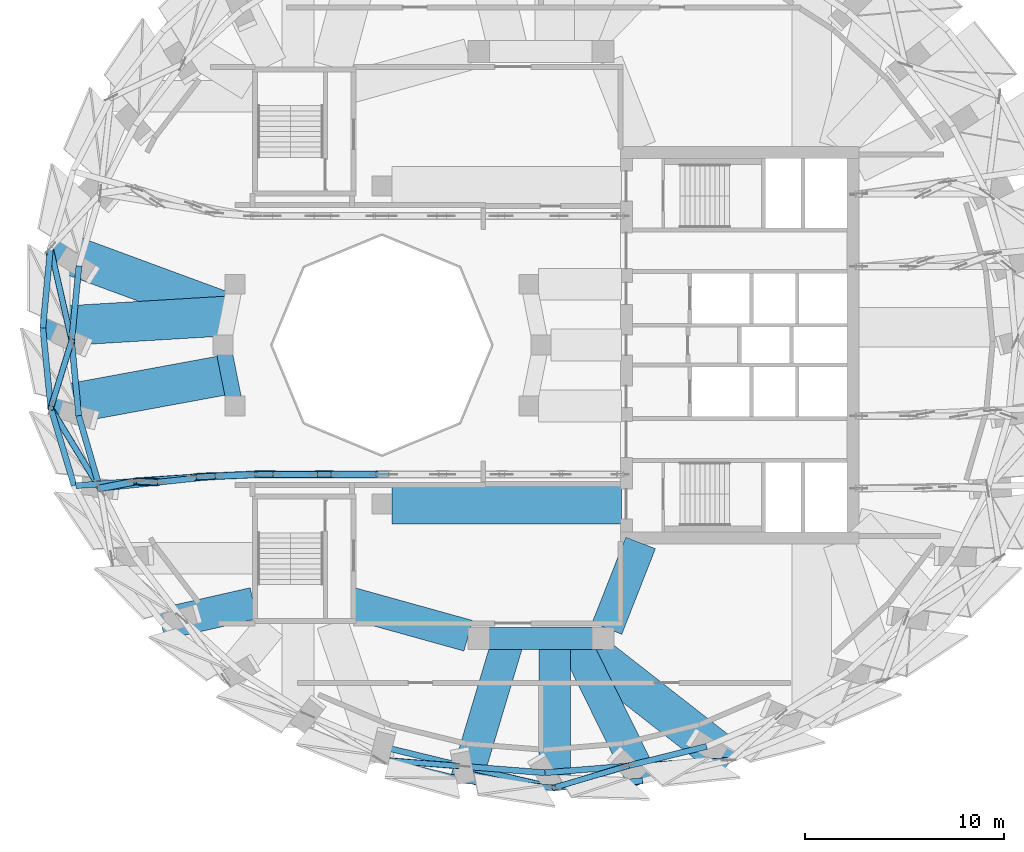
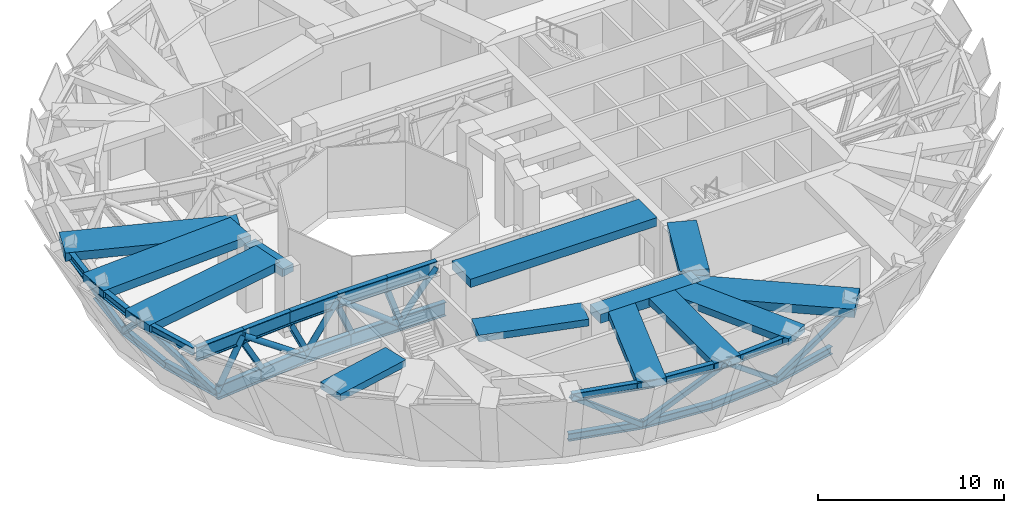
# One storey, part 2 of 16: 39 members, 13 beams.
"""IFC4 building model written with IfcOpenShell, lengths in metres."""

import ifcopenshell
import ifcopenshell.guid

model = None  # the IFC model being written
_history = None  # IfcOwnerHistory: only IFC2X3 demands one
_inside = {}  # id of a spatial element -> (the spatial element, [elements in it])
_under = {}  # id of a project, library or spatial element -> (it, [spatial elements below it])
_declared = {}  # id of a project -> (the project, [libraries it declares])
_typed = {}  # id of a type object -> (the type object, [elements of that type])
_made_of = {}  # id of a material, layer set ... -> (it, [elements and type objects made of it])


def new_model(schema):
    """Start an empty IFC model of exactly this schema.

    Asked for "IFC4X3", IfcOpenShell would pick the latest addendum, in which some entities
    have other attributes; the version numbers below select the first issue.
    IFC2X3 requires an IfcOwnerHistory on every rooted entity: one is made here for all.
    """
    global model, _history
    if schema == "IFC4X3":
        model = ifcopenshell.file(schema_version=(4, 3, 0, 0))
    else:
        model = ifcopenshell.file(schema=schema)
    _inside.clear()
    _under.clear()
    _declared.clear()
    _typed.clear()
    _made_of.clear()
    _history = None
    if model.schema == "IFC2X3":
        org = make("IfcOrganization", Name="unknown")
        user = make(
            "IfcPersonAndOrganization",
            ThePerson=make("IfcPerson", FamilyName="unknown"),
            TheOrganization=org,
        )
        app = make(
            "IfcApplication",
            ApplicationDeveloper=org,
            Version="unknown",
            ApplicationFullName="unknown",
            ApplicationIdentifier="unknown",
        )
        _history = make(
            "IfcOwnerHistory",
            OwningUser=user,
            OwningApplication=app,
            ChangeAction="ADDED",
            CreationDate=0,
        )
    return model


def make(cls, **values):
    """One entity of the class cls with the attributes given. An attribute that is None is left unset."""
    return model.create_entity(
        cls, **{name: value for name, value in values.items() if value is not None}
    )


def rooted(cls, **values):
    """An entity with a GlobalId (a new one), such as an element, a storey or a relation."""
    return make(cls, GlobalId=ifcopenshell.guid.new(), OwnerHistory=_history, **values)


def si_unit(unit_type, name, prefix=None):
    """IfcSIUnit, for example si_unit("LENGTHUNIT", "METRE", prefix="MILLI")."""
    return make("IfcSIUnit", UnitType=unit_type, Prefix=prefix, Name=name)


def assignment(units):
    """IfcUnitAssignment: the units of a project."""
    return None if units is None else make("IfcUnitAssignment", Units=units)


def point(xyz):
    """IfcCartesianPoint."""
    return None if xyz is None else make("IfcCartesianPoint", Coordinates=xyz)


def direction(xyz):
    """IfcDirection."""
    return None if xyz is None else make("IfcDirection", DirectionRatios=xyz)


def frame(location, z_axis=None, x_axis=None):
    """IfcAxis2Placement3D, a coordinate frame: its origin and axes. An axis left out is left unset."""
    return make(
        "IfcAxis2Placement3D",
        Location=point(location),
        Axis=direction(z_axis),
        RefDirection=direction(x_axis),
    )


def frame_2d(location, x_axis=None):
    """IfcAxis2Placement2D, a coordinate frame in the plane: its origin and x axis."""
    return make(
        "IfcAxis2Placement2D", Location=point(location), RefDirection=direction(x_axis)
    )


def origin():
    """The frame at (0, 0, 0) with its axes left unset."""
    return frame((0.0, 0.0, 0.0))


def origin_2d():
    """The frame at (0, 0) in the plane with its x axis left unset."""
    return frame_2d((0.0, 0.0))


def place(relative_to, where):
    """IfcLocalPlacement: puts the frame where relative to a parent placement (None: the world)."""
    return make(
        "IfcLocalPlacement", PlacementRelTo=relative_to, RelativePlacement=where
    )


def context(
    kind, dimensions, precision=None, world=None, true_north=None, identifier=None
):
    """IfcGeometricRepresentationContext, for example the 3D "Model" context."""
    return make(
        "IfcGeometricRepresentationContext",
        ContextIdentifier=identifier,
        ContextType=kind,
        CoordinateSpaceDimension=dimensions,
        Precision=precision,
        WorldCoordinateSystem=world,
        TrueNorth=true_north,
    )


def subcontext(parent, identifier, kind, view, scale=None):
    """IfcGeometricRepresentationSubContext, for example "Body" below "Model"."""
    return make(
        "IfcGeometricRepresentationSubContext",
        ContextIdentifier=identifier,
        ContextType=kind,
        ParentContext=parent,
        TargetScale=scale,
        TargetView=view,
    )


def project(units=None, contexts=None):
    """IfcProject with its units and contexts."""
    return rooted(
        "IfcProject",
        Name="project",
        RepresentationContexts=contexts,
        UnitsInContext=assignment(units),
    )


def spatial(cls, under=None, at=None, **own):
    """A site, building, storey or space (cls), placed at a placement, below another one or the project."""
    s = rooted(cls, ObjectPlacement=at, **own)
    if under is not None:
        _under.setdefault(under.id(), (under, []))[1].append(s)
    return s


def profile(cls, at=None, kind="AREA", **sizes):
    """A parametric profile (cls). Its sizes go by their IFC names, for example OverallWidth=200.0."""
    return make(cls, ProfileType=kind, Position=at, **sizes)


def rectangle(**sizes):
    """IfcRectangleProfileDef."""
    return profile("IfcRectangleProfileDef", **sizes)


def hollow_rectangle(**sizes):
    """IfcRectangleHollowProfileDef."""
    return profile("IfcRectangleHollowProfileDef", **sizes)


def hollow_circle(**sizes):
    """IfcCircleHollowProfileDef."""
    return profile("IfcCircleHollowProfileDef", **sizes)


def i_section(**sizes):
    """IfcIShapeProfileDef."""
    return profile("IfcIShapeProfileDef", **sizes)


def extrude(swept, where, along, depth):
    """IfcExtrudedAreaSolid: the profile swept, set in the frame where, extruded along a direction by depth."""
    return make(
        "IfcExtrudedAreaSolid",
        SweptArea=swept,
        Position=where,
        ExtrudedDirection=direction(along),
        Depth=depth,
    )


def shape(context_of_items, identifier, shape_type, items):
    """IfcShapeRepresentation: the items that make up one representation, for example the "Body"."""
    return make(
        "IfcShapeRepresentation",
        ContextOfItems=context_of_items,
        RepresentationIdentifier=identifier,
        RepresentationType=shape_type,
        Items=items,
    )


def material(Name=None, Category=None):
    """IfcMaterial."""
    return make("IfcMaterial", Name=Name, Category=Category)


def material_profile(
    of_material, cross_section, Name=None, Category=None, Priority=None
):
    """IfcMaterialProfile: a cross section and its material."""
    return make(
        "IfcMaterialProfile",
        Name=Name,
        Material=of_material,
        Profile=cross_section,
        Priority=Priority,
        Category=Category,
    )


def profile_set(profiles, Name=None, composite=None):
    """IfcMaterialProfileSet."""
    return make(
        "IfcMaterialProfileSet",
        Name=Name,
        MaterialProfiles=profiles,
        CompositeProfile=composite,
    )


def made_of(thing, what):
    """Note that an element or type object is made of a material, layer set ...; save() writes the relation."""
    if what is not None:
        _made_of.setdefault(what.id(), (what, []))[1].append(thing)
    return thing


def type_object(cls, material=None, **own):
    """A type object (cls), such as IfcWallType, which elements share."""
    return made_of(rooted(cls, **own), material)


def element(
    cls,
    number,
    at=None,
    inside=None,
    cuts=None,
    type_object=None,
    material=None,
    context=None,
    identifier="Body",
    shape_type=None,
    held_by="IfcProductDefinitionShape",
    body=None,
    shapes=None,
    **own,
):
    """One element of the class cls, such as IfcWall. Its Tag is "e" and its number.

    at: its placement. inside: the storey or other place that contains it. cuts: it is an
    opening in that element (IfcRelVoidsElement). A single representation is given by context,
    identifier, shape_type and body (its items); several are given by shapes. held_by: the class
    of the entity that holds the representations. save() writes the other relations.
    """
    e = rooted(cls, Tag="e%d" % number, ObjectPlacement=at, **own)
    if body is not None:
        shapes = [shape(context, identifier, shape_type, body)]
    if shapes is not None:
        e.Representation = make(held_by, Representations=shapes)
    if inside is not None:
        _inside.setdefault(inside.id(), (inside, []))[1].append(e)
    if cuts is not None:
        rooted(
            "IfcRelVoidsElement", RelatingBuildingElement=cuts, RelatedOpeningElement=e
        )
    if type_object is not None:
        _typed.setdefault(type_object.id(), (type_object, []))[1].append(e)
    return made_of(e, material)


def aggregate(whole, parts):
    """IfcRelAggregates: a whole, such as a stair, and the parts it consists of."""
    return rooted("IfcRelAggregates", RelatingObject=whole, RelatedObjects=parts)


def save(model, path):
    """Write the relations noted so far, then the file.

    IfcRelAggregates (storeys below a building ...), IfcRelContainedInSpatialStructure (elements
    in a storey), IfcRelDefinesByType, IfcRelAssociatesMaterial and IfcRelDeclares: one each for
    every whole, place, type object, material and project.
    """
    for whole, parts in _under.values():
        aggregate(whole, parts)
    for where, things in _inside.values():
        rooted(
            "IfcRelContainedInSpatialStructure",
            RelatedElements=things,
            RelatingStructure=where,
        )
    for kind, things in _typed.values():
        rooted("IfcRelDefinesByType", RelatedObjects=things, RelatingType=kind)
    for what, things in _made_of.values():
        rooted("IfcRelAssociatesMaterial", RelatedObjects=things, RelatingMaterial=what)
    for by, libraries in _declared.values():
        rooted("IfcRelDeclares", RelatingContext=by, RelatedDefinitions=libraries)
    model.write(path)


model = new_model("IFC4")

# Units and contexts
model_context = context("Model", 3, precision=1e-05, world=origin(), true_north=direction((0.0, 1.0)))
body_context = subcontext(model_context, "Body", "Model", "MODEL_VIEW")
ifc_project = project(units=[si_unit("LENGTHUNIT", "METRE"), si_unit("AREAUNIT", "SQUARE_METRE"), si_unit("VOLUMEUNIT", "CUBIC_METRE"), si_unit("PLANEANGLEUNIT", "RADIAN"), si_unit("MASSUNIT", "GRAM", prefix="KILO")], contexts=[model_context])

# Site, building, storey
site_placement = place(None, origin())
site = spatial("IfcSite", under=ifc_project, at=site_placement, CompositionType="ELEMENT")
building_placement = place(site_placement, origin())
building = spatial("IfcBuilding", under=site, at=building_placement, Name="Taillehof Tower", CompositionType="ELEMENT")
storey_placement = place(building_placement, frame((0.0, 0.0, 184.699951171875)))
storey = spatial("IfcBuildingStorey", under=building, at=storey_placement, Name="L52", CompositionType="ELEMENT", Elevation=184.699951171875)

# Beam
ifc_material_1 = material(Name="Concrete C50/60", Category="concrete")
ifc_material_profile_1 = material_profile(ifc_material_1, rectangle(XDim=0.800048828125, YDim=0.5, at=origin_2d()), Name="RC 800x500")
ifc_profile_set_1 = profile_set([ifc_material_profile_1], Name="Concrete C50/60")
beam_type_1 = type_object("IfcBeamType", Name="Atrium ring beam C50/60 800x500", PredefinedType="BEAM", material=ifc_profile_set_1)
beam_1_placement = place(storey_placement, frame((-16.0, 0.0, 3.969970703125), z_axis=(0.195063155143, -0.980790683839, 0.0), x_axis=(0.980790683839, 0.195063155143, 0.0)))
element("IfcBeam", 1, at=beam_1_placement, inside=storey, type_object=beam_type_1, Name="Atrium ring beam AB05", PredefinedType="BEAM", context=body_context, shape_type="SweptSolid", body=[
    extrude(rectangle(XDim=0.800048828125, YDim=0.5, at=origin_2d()), origin(), (0.0, 0.0, 1.0), 3.12158203125),
])

# Members
ifc_material_2 = material(Name="Steel S460M", Category="steel")
ifc_material_profile_2 = material_profile(ifc_material_2, i_section(OverallWidth=0.300048828125, OverallDepth=0.5, WebThickness=0.014404296875, FlangeThickness=0.028076171875, FilletRadius=0.027099609375, at=origin_2d()), Name="HEB 500")
ifc_profile_set_2 = profile_set([ifc_material_profile_2], Name="Steel S460M")
member_type_1 = type_object("IfcMemberType", Name="Belt truss chord HEB 500", PredefinedType="CHORD", material=ifc_profile_set_2)
member_1_placement = place(storey_placement, frame((-23.244873046875, 3.983154296875, 0.900146484375), z_axis=(-0.097089054052, -0.995275698278, 0.0), x_axis=(0.995275698278, -0.097089054052, 0.0)))
element("IfcMember", 2, at=member_1_placement, inside=storey, type_object=member_type_1, Name="Belt truss bottom chord BB18", PredefinedType="CHORD", context=body_context, shape_type="SweptSolid", body=[
    extrude(i_section(OverallWidth=0.300048828125, OverallDepth=0.5, WebThickness=0.014404296875, FlangeThickness=0.028076171875, FilletRadius=0.027099609375, at=origin_2d()), origin(), (0.0, 0.0, 1.0), 3.784423828125),
])
member_2_placement = place(storey_placement, frame((-24.67919921875, 4.887939453125, 3.969970703125), z_axis=(-0.094698010521, -0.995506045589, 0.0), x_axis=(0.995506045589, -0.094698010521, 0.0)))
element("IfcMember", 3, at=member_2_placement, inside=storey, type_object=member_type_1, Name="Belt truss top chord BT18", PredefinedType="CHORD", context=body_context, shape_type="SweptSolid", body=[
    extrude(i_section(OverallWidth=0.300048828125, OverallDepth=0.5, WebThickness=0.014404296875, FlangeThickness=0.028076171875, FilletRadius=0.027099609375, at=origin_2d()), origin(), (0.0, 0.0, 1.0), 4.044921875),
])
member_3_placement = place(storey_placement, frame((-23.6123046875, 0.216552734375, 0.900146484375), z_axis=(0.093530534299, -0.995616411654, 0.0), x_axis=(0.995616411654, 0.093530534299, 0.0)))
element("IfcMember", 4, at=member_3_placement, inside=storey, type_object=member_type_1, Name="Belt truss bottom chord BB19", PredefinedType="CHORD", context=body_context, shape_type="SweptSolid", body=[
    extrude(i_section(OverallWidth=0.300048828125, OverallDepth=0.5, WebThickness=0.014404296875, FlangeThickness=0.028076171875, FilletRadius=0.027099609375, at=origin_2d()), origin(), (0.0, 0.0, 1.0), 3.784912109375),
])
member_4_placement = place(storey_placement, frame((-25.062255859375, 0.861083984375, 3.969970703125), z_axis=(0.098995698664, -0.99508786127, 0.0), x_axis=(0.99508786127, 0.098995698664, 0.0)))
element("IfcMember", 5, at=member_4_placement, inside=storey, type_object=member_type_1, Name="Belt truss top chord BT19", PredefinedType="CHORD", context=body_context, shape_type="SweptSolid", body=[
    extrude(i_section(OverallWidth=0.300048828125, OverallDepth=0.5, WebThickness=0.014404296875, FlangeThickness=0.028076171875, FilletRadius=0.027099609375, at=origin_2d()), origin(), (0.0, 0.0, 1.0), 4.04443359375),
])
member_5_placement = place(storey_placement, frame((-23.25830078125, -3.5517578125, 0.900146484375), z_axis=(0.279899065542, -0.96002943346, 0.0), x_axis=(0.96002943346, 0.279899065542, 0.0)))
element("IfcMember", 6, at=member_5_placement, inside=storey, type_object=member_type_1, Name="Belt truss bottom chord BB20", PredefinedType="CHORD", context=body_context, shape_type="SweptSolid", body=[
    extrude(i_section(OverallWidth=0.300048828125, OverallDepth=0.5, WebThickness=0.014404296875, FlangeThickness=0.028076171875, FilletRadius=0.027099609375, at=origin_2d()), origin(), (0.0, 0.0, 1.0), 3.80810546875),
])
member_6_placement = place(storey_placement, frame((-24.661865234375, -3.16357421875, 3.969970703125), z_axis=(0.287534928668, -0.957770152383, 0.0), x_axis=(0.957770152383, 0.287534928668, 0.0)))
element("IfcMember", 7, at=member_6_placement, inside=storey, type_object=member_type_1, Name="Belt truss top chord BT20", PredefinedType="CHORD", context=body_context, shape_type="SweptSolid", body=[
    extrude(i_section(OverallWidth=0.300048828125, OverallDepth=0.5, WebThickness=0.014404296875, FlangeThickness=0.028076171875, FilletRadius=0.027099609375, at=origin_2d()), origin(), (0.0, 0.0, 1.0), 4.0712890625),
])
member_7_placement = place(storey_placement, frame((-7.95947265625, -20.214111328125, 0.900146484375), z_axis=(0.971542202508, -0.236866520947, 0.0), x_axis=(0.236866520947, 0.971542202508, 0.0)))
element("IfcMember", 8, at=member_7_placement, inside=storey, type_object=member_type_1, Name="Belt truss bottom chord BB26", PredefinedType="CHORD", context=body_context, shape_type="SweptSolid", body=[
    extrude(i_section(OverallWidth=0.300048828125, OverallDepth=0.5, WebThickness=0.014404296875, FlangeThickness=0.028076171875, FilletRadius=0.027099609375, at=origin_2d()), origin(), (0.0, 0.0, 1.0), 4.13720703125),
])
member_8_placement = place(storey_placement, frame((-8.121826171875, -20.869140625, 3.969970703125), z_axis=(0.971976196551, -0.2350792916, 0.0), x_axis=(0.2350792916, 0.971976196551, 0.0)))
element("IfcMember", 9, at=member_8_placement, inside=storey, type_object=member_type_1, Name="Belt truss top chord BT26", PredefinedType="CHORD", context=body_context, shape_type="SweptSolid", body=[
    extrude(i_section(OverallWidth=0.300048828125, OverallDepth=0.5, WebThickness=0.014404296875, FlangeThickness=0.028076171875, FilletRadius=0.027099609375, at=origin_2d()), origin(), (0.0, 0.0, 1.0), 4.44189453125),
])
member_9_placement = place(storey_placement, frame((-3.93994140625, -21.194091796875, 0.900146484375), z_axis=(0.996922729548, -0.078390505229, 0.0), x_axis=(0.078390505229, 0.996922729548, 0.0)))
element("IfcMember", 10, at=member_9_placement, inside=storey, type_object=member_type_1, Name="Belt truss bottom chord BB27", PredefinedType="CHORD", context=body_context, shape_type="SweptSolid", body=[
    extrude(i_section(OverallWidth=0.300048828125, OverallDepth=0.5, WebThickness=0.014404296875, FlangeThickness=0.028076171875, FilletRadius=0.027099609375, at=origin_2d()), origin(), (0.0, 0.0, 1.0), 4.154541015625),
])
member_10_placement = place(storey_placement, frame((-3.804443359375, -21.913330078125, 3.969970703125), z_axis=(0.996799633397, -0.079940545784, 0.0), x_axis=(0.079940545784, 0.996799633397, 0.0)))
element("IfcMember", 11, at=member_10_placement, inside=storey, type_object=member_type_1, Name="Belt truss top chord BT27", PredefinedType="CHORD", context=body_context, shape_type="SweptSolid", body=[
    extrude(i_section(OverallWidth=0.300048828125, OverallDepth=0.5, WebThickness=0.014404296875, FlangeThickness=0.028076171875, FilletRadius=0.027099609375, at=origin_2d()), origin(), (0.0, 0.0, 1.0), 4.47119140625),
])
member_11_placement = place(storey_placement, frame((0.201904296875, -21.519775390625, 0.900146484375), z_axis=(0.996688315105, 0.081316680529, 0.0), x_axis=(-0.081316680529, 0.996688315105, 0.0)))
element("IfcMember", 12, at=member_11_placement, inside=storey, type_object=member_type_1, Name="Belt truss bottom chord BB28", PredefinedType="CHORD", context=body_context, shape_type="SweptSolid", body=[
    extrude(i_section(OverallWidth=0.300048828125, OverallDepth=0.5, WebThickness=0.014404296875, FlangeThickness=0.028076171875, FilletRadius=0.027099609375, at=origin_2d()), origin(), (0.0, 0.0, 1.0), 4.149169921875),
])
member_12_placement = place(storey_placement, frame((0.65234375, -22.270751953125, 3.969970703125), z_axis=(0.997074654535, 0.076433849071, 0.0), x_axis=(-0.076433849071, 0.997074654535, 0.0)))
element("IfcMember", 13, at=member_12_placement, inside=storey, type_object=member_type_1, Name="Belt truss top chord BT28", PredefinedType="CHORD", context=body_context, shape_type="SweptSolid", body=[
    extrude(i_section(OverallWidth=0.300048828125, OverallDepth=0.5, WebThickness=0.014404296875, FlangeThickness=0.028076171875, FilletRadius=0.027099609375, at=origin_2d()), origin(), (0.0, 0.0, 1.0), 4.478271484375),
])
member_13_placement = place(storey_placement, frame((4.33740234375, -21.182373046875, 0.900146484375), z_axis=(0.970859264301, 0.239650347217, 0.0), x_axis=(-0.239650347217, 0.970859264301, 0.0)))
element("IfcMember", 14, at=member_13_placement, inside=storey, type_object=member_type_1, Name="Belt truss bottom chord BB29", PredefinedType="CHORD", context=body_context, shape_type="SweptSolid", body=[
    extrude(i_section(OverallWidth=0.300048828125, OverallDepth=0.5, WebThickness=0.014404296875, FlangeThickness=0.028076171875, FilletRadius=0.027099609375, at=origin_2d()), origin(), (0.0, 0.0, 1.0), 4.122802734375),
])
ifc_material_3 = material(Name="Steel S460M", Category="steel")
ifc_material_profile_3 = material_profile(ifc_material_3, hollow_rectangle(XDim=0.300048828125, YDim=0.300048828125, WallThickness=0.012451171875, InnerFilletRadius=0.012451171875, OuterFilletRadius=0.018798828125, at=origin_2d()), Name="RHS 300x300x12.5")
ifc_profile_set_3 = profile_set([ifc_material_profile_3], Name="Steel S460M")
member_type_2 = type_object("IfcMemberType", Name="Belt truss diagonal RHS 300x300x12.5", PredefinedType="BRACE", material=ifc_profile_set_3)
member_14_placement = place(storey_placement, frame((-24.67919921875, 4.887939453125, 3.969970703125), z_axis=(0.187480738527, -0.82088248306, -0.539446866416), x_axis=(0.974897070866, 0.222656015453, 0.0)))
element("IfcMember", 15, at=member_14_placement, inside=storey, type_object=member_type_2, Name="Belt truss diagonal BX18", PredefinedType="BRACE", context=body_context, shape_type="SweptSolid", body=[
    extrude(hollow_rectangle(XDim=0.300048828125, YDim=0.300048828125, WallThickness=0.012451171875, InnerFilletRadius=0.012451171875, OuterFilletRadius=0.018798828125, at=origin_2d()), origin(), (0.0, 0.0, 1.0), 5.690673828125),
])
member_15_placement = place(storey_placement, frame((-23.6123046875, 0.216552734375, 0.900146484375), z_axis=(-0.22401842646, -0.721455016129, 0.655223934475), x_axis=(0.955019685991, -0.296542407373, 0.0)))
element("IfcMember", 16, at=member_15_placement, inside=storey, type_object=member_type_2, Name="Belt truss diagonal BX19", PredefinedType="BRACE", context=body_context, shape_type="SweptSolid", body=[
    extrude(hollow_rectangle(XDim=0.300048828125, YDim=0.300048828125, WallThickness=0.012451171875, InnerFilletRadius=0.012451171875, OuterFilletRadius=0.018798828125, at=origin_2d()), origin(), (0.0, 0.0, 1.0), 4.68505859375),
])
member_16_placement = place(storey_placement, frame((-24.661865234375, -3.16357421875, 3.969970703125), z_axis=(0.437384017473, -0.716289298017, -0.54371395311), x_axis=(0.853466449862, 0.52114778994, 0.0)))
element("IfcMember", 17, at=member_16_placement, inside=storey, type_object=member_type_2, Name="Belt truss diagonal BX20", PredefinedType="BRACE", context=body_context, shape_type="SweptSolid", body=[
    extrude(hollow_rectangle(XDim=0.300048828125, YDim=0.300048828125, WallThickness=0.012451171875, InnerFilletRadius=0.012451171875, OuterFilletRadius=0.018798828125, at=origin_2d()), origin(), (0.0, 0.0, 1.0), 5.64599609375),
])
member_17_placement = place(storey_placement, frame((-8.121826171875, -20.869140625, 3.969970703125), z_axis=(0.804542304307, -0.062516539613, -0.590595769418), x_axis=(0.077470945535, 0.996994610115, 0.0)))
element("IfcMember", 18, at=member_17_placement, inside=storey, type_object=member_type_2, Name="Belt truss diagonal BX26", PredefinedType="BRACE", context=body_context, shape_type="SweptSolid", body=[
    extrude(hollow_rectangle(XDim=0.300048828125, YDim=0.300048828125, WallThickness=0.012451171875, InnerFilletRadius=0.012451171875, OuterFilletRadius=0.018798828125, at=origin_2d()), origin(), (0.0, 0.0, 1.0), 5.19775390625),
])
member_18_placement = place(storey_placement, frame((-3.93994140625, -21.194091796875, 0.900146484375), z_axis=(0.816000476268, -0.191311116446, 0.5454752785), x_axis=(0.228260319191, 0.973600136957, 0.0)))
element("IfcMember", 19, at=member_18_placement, inside=storey, type_object=member_type_2, Name="Belt truss diagonal BX27", PredefinedType="BRACE", context=body_context, shape_type="SweptSolid", body=[
    extrude(hollow_rectangle(XDim=0.300048828125, YDim=0.300048828125, WallThickness=0.012451171875, InnerFilletRadius=0.012451171875, OuterFilletRadius=0.018798828125, at=origin_2d()), origin(), (0.0, 0.0, 1.0), 5.627685546875),
])
member_19_placement = place(storey_placement, frame((0.65234375, -22.270751953125, 3.969970703125), z_axis=(0.749279762552, 0.221299137502, -0.624184691555), x_axis=(-0.283253171719, 0.959045171361, 0.0)))
element("IfcMember", 20, at=member_19_placement, inside=storey, type_object=member_type_2, Name="Belt truss diagonal BX28", PredefinedType="BRACE", context=body_context, shape_type="SweptSolid", body=[
    extrude(hollow_rectangle(XDim=0.300048828125, YDim=0.300048828125, WallThickness=0.012451171875, InnerFilletRadius=0.012451171875, OuterFilletRadius=0.018798828125, at=origin_2d()), origin(), (0.0, 0.0, 1.0), 4.918212890625),
])
member_20_placement = place(storey_placement, frame((4.33740234375, -21.182373046875, 0.900146484375), z_axis=(0.856598435011, 0.048169872884, 0.513730264325), x_axis=(-0.056145199949, 0.998422614188, 0.0)))
element("IfcMember", 21, at=member_20_placement, inside=storey, type_object=member_type_2, Name="Belt truss diagonal BX29", PredefinedType="BRACE", context=body_context, shape_type="SweptSolid", body=[
    extrude(hollow_rectangle(XDim=0.300048828125, YDim=0.300048828125, WallThickness=0.012451171875, InnerFilletRadius=0.012451171875, OuterFilletRadius=0.018798828125, at=origin_2d()), origin(), (0.0, 0.0, 1.0), 5.9755859375),
])

# Beam
ifc_material_4 = material(Name="Concrete C50/60", Category="concrete")
ifc_material_profile_4 = material_profile(ifc_material_4, rectangle(XDim=1.10009765625, YDim=0.60009765625, at=origin_2d()), Name="RC 1100x600")
ifc_profile_set_4 = profile_set([ifc_material_profile_4], Name="Concrete C50/60")
beam_type_2 = type_object("IfcBeamType", Name="Mid-ring beam C50/60 1100x600", PredefinedType="BEAM", material=ifc_profile_set_4)
beam_2_placement = place(storey_placement, frame((-3.125732421875, -14.772216796875, 3.920166015625), z_axis=(1.0, 0.0, 0.0), x_axis=(0.0, 1.0, 0.0)))
element("IfcBeam", 22, at=beam_2_placement, inside=storey, type_object=beam_type_2, Name="Mid-ring beam MB02", PredefinedType="BEAM", context=body_context, shape_type="SweptSolid", body=[
    extrude(rectangle(XDim=1.10009765625, YDim=0.60009765625, at=origin_2d()), origin(), (0.0, 0.0, 1.0), 6.25146484375),
])

# Members
ifc_material_5 = material(Name="Steel S460M", Category="steel")
ifc_material_profile_5 = material_profile(ifc_material_5, i_section(OverallWidth=0.302001953125, OverallDepth=0.909912109375, WebThickness=0.02099609375, FlangeThickness=0.0400390625, FilletRadius=0.030029296875, at=origin_2d()), Name="HEM 900")
ifc_profile_set_5 = profile_set([ifc_material_profile_5], Name="Steel S460M")
member_type_3 = type_object("IfcMemberType", Name="Outrigger chord HEM 900", PredefinedType="CHORD", material=ifc_profile_set_5)
member_21_placement = place(storey_placement, frame((-7.65771484375, -6.5, 0.900146484375), z_axis=(-1.0, 0.0, 0.0), x_axis=(0.0, -1.0, 0.0)))
element("IfcMember", 23, at=member_21_placement, inside=storey, type_object=member_type_3, Name="Outrigger OT6 bottom chord 05", PredefinedType="CHORD", context=body_context, shape_type="SweptSolid", body=[
    extrude(i_section(OverallWidth=0.302001953125, OverallDepth=0.909912109375, WebThickness=0.02099609375, FlangeThickness=0.0400390625, FilletRadius=0.030029296875, at=origin_2d()), origin(), (0.0, 0.0, 1.0), 2.914306640625),
])
member_22_placement = place(storey_placement, frame((-8.18896484375, -6.5, 3.76513671875), z_axis=(-1.0, 0.0, 0.0), x_axis=(0.0, -1.0, 0.0)))
element("IfcMember", 24, at=member_22_placement, inside=storey, type_object=member_type_3, Name="Outrigger OT6 top chord 05", PredefinedType="CHORD", context=body_context, shape_type="SweptSolid", body=[
    extrude(i_section(OverallWidth=0.302001953125, OverallDepth=0.909912109375, WebThickness=0.02099609375, FlangeThickness=0.0400390625, FilletRadius=0.030029296875, at=origin_2d()), origin(), (0.0, 0.0, 1.0), 3.047119140625),
])
member_23_placement = place(storey_placement, frame((-10.572021484375, -6.5, 0.900146484375), z_axis=(-1.0, 0.0, 0.0), x_axis=(0.0, -1.0, 0.0)))
element("IfcMember", 25, at=member_23_placement, inside=storey, type_object=member_type_3, Name="Outrigger OT6 bottom chord 06", PredefinedType="CHORD", context=body_context, shape_type="SweptSolid", body=[
    extrude(i_section(OverallWidth=0.302001953125, OverallDepth=0.909912109375, WebThickness=0.02099609375, FlangeThickness=0.0400390625, FilletRadius=0.030029296875, at=origin_2d()), origin(), (0.0, 0.0, 1.0), 2.914306640625),
])
member_24_placement = place(storey_placement, frame((-11.236083984375, -6.5, 3.76513671875), z_axis=(-1.0, 0.0, 0.0), x_axis=(0.0, -1.0, 0.0)))
element("IfcMember", 26, at=member_24_placement, inside=storey, type_object=member_type_3, Name="Outrigger OT6 top chord 06", PredefinedType="CHORD", context=body_context, shape_type="SweptSolid", body=[
    extrude(i_section(OverallWidth=0.302001953125, OverallDepth=0.909912109375, WebThickness=0.02099609375, FlangeThickness=0.0400390625, FilletRadius=0.030029296875, at=origin_2d()), origin(), (0.0, 0.0, 1.0), 3.04736328125),
])
member_25_placement = place(storey_placement, frame((-13.486328125, -6.5, 0.900146484375), z_axis=(-0.999470392092, -0.032541286576, 0.0), x_axis=(0.032541286576, -0.999470392092, 0.0)))
element("IfcMember", 27, at=member_25_placement, inside=storey, type_object=member_type_3, Name="Outrigger OT6 bottom chord 07", PredefinedType="CHORD", context=body_context, shape_type="SweptSolid", body=[
    extrude(i_section(OverallWidth=0.302001953125, OverallDepth=0.909912109375, WebThickness=0.02099609375, FlangeThickness=0.0400390625, FilletRadius=0.030029296875, at=origin_2d()), origin(), (0.0, 0.0, 1.0), 2.910888671875),
])
member_26_placement = place(storey_placement, frame((-14.283447265625, -6.5, 3.76513671875), z_axis=(-0.999055553215, -0.043451140254, 0.0), x_axis=(0.043451140254, -0.999055553215, 0.0)))
element("IfcMember", 28, at=member_26_placement, inside=storey, type_object=member_type_3, Name="Outrigger OT6 top chord 07", PredefinedType="CHORD", context=body_context, shape_type="SweptSolid", body=[
    extrude(i_section(OverallWidth=0.302001953125, OverallDepth=0.909912109375, WebThickness=0.02099609375, FlangeThickness=0.0400390625, FilletRadius=0.030029296875, at=origin_2d()), origin(), (0.0, 0.0, 1.0), 3.04541015625),
])
member_27_placement = place(storey_placement, frame((-16.395751953125, -6.5947265625, 0.900146484375), z_axis=(-0.994449310073, -0.105216774783, 0.0), x_axis=(0.105216774783, -0.994449310073, 0.0)))
element("IfcMember", 29, at=member_27_placement, inside=storey, type_object=member_type_3, Name="Outrigger OT6 bottom chord 08", PredefinedType="CHORD", context=body_context, shape_type="SweptSolid", body=[
    extrude(i_section(OverallWidth=0.302001953125, OverallDepth=0.909912109375, WebThickness=0.02099609375, FlangeThickness=0.0400390625, FilletRadius=0.030029296875, at=origin_2d()), origin(), (0.0, 0.0, 1.0), 2.914306640625),
])
member_28_placement = place(storey_placement, frame((-17.325927734375, -6.63232421875, 3.76513671875), z_axis=(-0.997384963394, -0.072271950272, 0.0), x_axis=(0.072271950272, -0.997384963394, 0.0)))
element("IfcMember", 30, at=member_28_placement, inside=storey, type_object=member_type_3, Name="Outrigger OT6 top chord 08", PredefinedType="CHORD", context=body_context, shape_type="SweptSolid", body=[
    extrude(i_section(OverallWidth=0.302001953125, OverallDepth=0.909912109375, WebThickness=0.02099609375, FlangeThickness=0.0400390625, FilletRadius=0.030029296875, at=origin_2d()), origin(), (0.0, 0.0, 1.0), 3.047119140625),
])
member_29_placement = place(storey_placement, frame((-19.2939453125, -6.9013671875, 0.900146484375), z_axis=(-0.994458997751, -0.105125172016, 0.0), x_axis=(0.105125172016, -0.994458997751, 0.0)))
element("IfcMember", 31, at=member_29_placement, inside=storey, type_object=member_type_3, Name="Outrigger OT6 bottom chord 09", PredefinedType="CHORD", context=body_context, shape_type="SweptSolid", body=[
    extrude(i_section(OverallWidth=0.302001953125, OverallDepth=0.909912109375, WebThickness=0.02099609375, FlangeThickness=0.0400390625, FilletRadius=0.030029296875, at=origin_2d()), origin(), (0.0, 0.0, 1.0), 2.91455078125),
])
member_30_placement = place(storey_placement, frame((-20.364990234375, -6.8525390625, 3.76513671875), z_axis=(-0.997385381851, -0.072266175149, 0.0), x_axis=(0.072266175149, -0.997385381851, 0.0)))
element("IfcMember", 32, at=member_30_placement, inside=storey, type_object=member_type_3, Name="Outrigger OT6 top chord 09", PredefinedType="CHORD", context=body_context, shape_type="SweptSolid", body=[
    extrude(i_section(OverallWidth=0.302001953125, OverallDepth=0.909912109375, WebThickness=0.02099609375, FlangeThickness=0.0400390625, FilletRadius=0.030029296875, at=origin_2d()), origin(), (0.0, 0.0, 1.0), 3.04736328125),
])
ifc_material_6 = material(Name="Steel S460M", Category="steel")
ifc_material_profile_6 = material_profile(ifc_material_6, hollow_circle(Radius=0.177734375, WallThickness=0.01611328125, at=origin_2d()), Name="CHS 355.6x16")
ifc_profile_set_6 = profile_set([ifc_material_profile_6], Name="Steel S460M")
member_type_4 = type_object("IfcMemberType", Name="Outrigger diagonal CHS 355.6x16", PredefinedType="BRACE", material=ifc_profile_set_6)
member_31_placement = place(storey_placement, frame((-8.18896484375, -6.5, 3.76513671875), z_axis=(-0.639481736535, 0.0, -0.76880628811), x_axis=(0.0, -1.0, 0.0)))
element("IfcMember", 33, at=member_31_placement, inside=storey, type_object=member_type_4, Name="Outrigger OT6 diagonal 05", PredefinedType="BRACE", context=body_context, shape_type="SweptSolid", body=[
    extrude(hollow_circle(Radius=0.177734375, WallThickness=0.01611328125, at=origin_2d()), origin(), (0.0, 0.0, 1.0), 3.7265625),
])
member_32_placement = place(storey_placement, frame((-10.572021484375, -6.5, 0.900146484375), z_axis=(-0.79158722782, 0.0, 0.611056184612), x_axis=(0.0, -1.0, 0.0)))
element("IfcMember", 34, at=member_32_placement, inside=storey, type_object=member_type_4, Name="Outrigger OT6 diagonal 06", PredefinedType="BRACE", context=body_context, shape_type="SweptSolid", body=[
    extrude(hollow_circle(Radius=0.177734375, WallThickness=0.01611328125, at=origin_2d()), origin(), (0.0, 0.0, 1.0), 4.6884765625),
])
member_33_placement = place(storey_placement, frame((-14.283447265625, -6.5, 3.76513671875), z_axis=(-0.59321827256, -0.026602946111, -0.804601991272), x_axis=(0.04480009674, -0.99899597163, 0.0)))
element("IfcMember", 35, at=member_33_placement, inside=storey, type_object=member_type_4, Name="Outrigger OT6 diagonal 07", PredefinedType="BRACE", context=body_context, shape_type="SweptSolid", body=[
    extrude(hollow_circle(Radius=0.177734375, WallThickness=0.01611328125, at=origin_2d()), origin(), (0.0, 0.0, 1.0), 3.560791015625),
])
member_34_placement = place(storey_placement, frame((-16.395751953125, -6.5947265625, 0.900146484375), z_axis=(-0.809720071529, -0.052593455255, 0.584454732402), x_axis=(0.064816058142, -0.997897228479, 0.0)))
element("IfcMember", 36, at=member_34_placement, inside=storey, type_object=member_type_4, Name="Outrigger OT6 diagonal 08", PredefinedType="BRACE", context=body_context, shape_type="SweptSolid", body=[
    extrude(hollow_circle(Radius=0.177734375, WallThickness=0.01611328125, at=origin_2d()), origin(), (0.0, 0.0, 1.0), 4.902099609375),
])
member_35_placement = place(storey_placement, frame((-20.364990234375, -6.8525390625, 3.76513671875), z_axis=(-0.534844177908, -0.103967705926, -0.838529916868), x_axis=(0.190817005532, -0.981625626397, 0.0)))
element("IfcMember", 37, at=member_35_placement, inside=storey, type_object=member_type_4, Name="Outrigger OT6 diagonal 09", PredefinedType="BRACE", context=body_context, shape_type="SweptSolid", body=[
    extrude(hollow_circle(Radius=0.177734375, WallThickness=0.01611328125, at=origin_2d()), origin(), (0.0, 0.0, 1.0), 3.416748046875),
])
ifc_material_7 = material(Name="Steel S460M", Category="steel")
ifc_material_profile_7 = material_profile(ifc_material_7, i_section(OverallWidth=0.300048828125, OverallDepth=0.360107421875, WebThickness=0.012451171875, FlangeThickness=0.0224609375, FilletRadius=0.027099609375, at=origin_2d()), Name="HEB 360")
ifc_profile_set_7 = profile_set([ifc_material_profile_7], Name="Steel S460M")
member_type_5 = type_object("IfcMemberType", Name="Outrigger post HEB 360", PredefinedType="POST", material=ifc_profile_set_7)
member_36_placement = place(storey_placement, frame((-10.572021484375, -6.5, 1.35498046875), z_axis=(-0.321614430013, 0.0, 0.946870718951), x_axis=(0.946870718951, 0.0, 0.321614430013)))
element("IfcMember", 38, at=member_36_placement, inside=storey, type_object=member_type_5, Name="Outrigger OT6 post 06", PredefinedType="POST", context=body_context, shape_type="SweptSolid", body=[
    extrude(i_section(OverallWidth=0.300048828125, OverallDepth=0.360107421875, WebThickness=0.012451171875, FlangeThickness=0.0224609375, FilletRadius=0.027099609375, at=origin_2d()), origin(), (0.0, 0.0, 1.0), 2.064697265625),
])
member_37_placement = place(storey_placement, frame((-13.486328125, -6.5, 1.35498046875), z_axis=(-0.377542969022, 0.0, 0.925992066134), x_axis=(0.925869567131, 0.016265344946, 0.377493024061)))
element("IfcMember", 39, at=member_37_placement, inside=storey, type_object=member_type_5, Name="Outrigger OT6 post 07", PredefinedType="POST", context=body_context, shape_type="SweptSolid", body=[
    extrude(i_section(OverallWidth=0.300048828125, OverallDepth=0.360107421875, WebThickness=0.012451171875, FlangeThickness=0.0224609375, FilletRadius=0.027099609375, at=origin_2d()), origin(), (0.0, 0.0, 1.0), 2.111328125),
])
member_38_placement = place(storey_placement, frame((-16.395751953125, -6.5947265625, 1.35498046875), z_axis=(-0.429562392289, -0.017362889347, 0.902870246051), x_axis=(0.897204417121, 0.105247243056, 0.428890722361)))
element("IfcMember", 40, at=member_38_placement, inside=storey, type_object=member_type_5, Name="Outrigger OT6 post 08", PredefinedType="POST", context=body_context, shape_type="SweptSolid", body=[
    extrude(i_section(OverallWidth=0.300048828125, OverallDepth=0.360107421875, WebThickness=0.012451171875, FlangeThickness=0.0224609375, FilletRadius=0.027099609375, at=origin_2d()), origin(), (0.0, 0.0, 1.0), 2.165283203125),
])
member_39_placement = place(storey_placement, frame((-19.2939453125, -6.9013671875, 1.35498046875), z_axis=(-0.480339824782, 0.021898328005, 0.876809053306), x_axis=(0.875831343949, 0.065352674691, 0.478172024346)))
element("IfcMember", 41, at=member_39_placement, inside=storey, type_object=member_type_5, Name="Outrigger OT6 post 09", PredefinedType="POST", context=body_context, shape_type="SweptSolid", body=[
    extrude(i_section(OverallWidth=0.300048828125, OverallDepth=0.360107421875, WebThickness=0.012451171875, FlangeThickness=0.0224609375, FilletRadius=0.027099609375, at=origin_2d()), origin(), (0.0, 0.0, 1.0), 2.229736328125),
])

# Beams
ifc_material_8 = material(Name="Concrete C50/60", Category="concrete")
ifc_material_profile_8 = material_profile(ifc_material_8, rectangle(XDim=1.60009765625, YDim=0.449951171875, at=origin_2d()), Name="RC 1600x450")
ifc_profile_set_8 = profile_set([ifc_material_profile_8], Name="Concrete C50/60")
beam_type_3 = type_object("IfcBeamType", Name="Radial band beam C50/60 1600x450", PredefinedType="BEAM", material=ifc_profile_set_8)
beam_3_placement = place(storey_placement, frame((-19.102294921875, -14.044921875, 3.9951171875), z_axis=(0.975185625337, 0.221388789543, 0.0), x_axis=(-0.221388789543, 0.975185625337, 0.0)))
element("IfcBeam", 42, at=beam_3_placement, inside=storey, type_object=beam_type_3, Name="Radial band beam RB23", PredefinedType="BEAM", context=body_context, shape_type="SweptSolid", body=[
    extrude(rectangle(XDim=1.60009765625, YDim=0.449951171875, at=origin_2d()), origin(), (0.0, 0.0, 1.0), 4.76953125),
])
beam_4_placement = place(storey_placement, frame((-3.788818359375, -21.996826171875, 3.9951171875), z_axis=(0.286825122153, 0.957982958774, 0.0), x_axis=(-0.957982958774, 0.286825122153, 0.0)))
element("IfcBeam", 43, at=beam_4_placement, inside=storey, type_object=beam_type_3, Name="Radial band beam RB27", PredefinedType="BEAM", context=body_context, shape_type="SweptSolid", body=[
    extrude(rectangle(XDim=1.60009765625, YDim=0.449951171875, at=origin_2d()), origin(), (0.0, 0.0, 1.0), 7.54150390625),
])
beam_5_placement = place(storey_placement, frame((0.699951171875, -22.35009765625, 3.9951171875), z_axis=(0.0, 1.0, 0.0), x_axis=(-1.0, 0.0, 0.0)))
element("IfcBeam", 44, at=beam_5_placement, inside=storey, type_object=beam_type_3, Name="Radial band beam RB28", PredefinedType="BEAM", context=body_context, shape_type="SweptSolid", body=[
    extrude(rectangle(XDim=1.60009765625, YDim=0.449951171875, at=origin_2d()), origin(), (0.0, 0.0, 1.0), 7.577880859375),
])
beam_6_placement = place(storey_placement, frame((5.188720703125, -21.996826171875, 3.9951171875), z_axis=(-0.442309181818, 0.896862635903, 0.0), x_axis=(-0.896862635903, -0.442309181818, 0.0)))
element("IfcBeam", 45, at=beam_6_placement, inside=storey, type_object=beam_type_3, Name="Radial band beam RB29", PredefinedType="BEAM", context=body_context, shape_type="SweptSolid", body=[
    extrude(rectangle(XDim=1.60009765625, YDim=0.449951171875, at=origin_2d()), origin(), (0.0, 0.0, 1.0), 8.055419921875),
])
beam_7_placement = place(storey_placement, frame((-3.655517578125, -14.624755859375, 3.9951171875), z_axis=(-0.963459369536, 0.267854518821, 0.0), x_axis=(-0.267854518821, -0.963459369536, 0.0)))
element("IfcBeam", 46, at=beam_7_placement, inside=storey, type_object=beam_type_3, Name="Inner band beam IB214", PredefinedType="BEAM", context=body_context, shape_type="SweptSolid", body=[
    extrude(rectangle(XDim=1.60009765625, YDim=0.449951171875, at=origin_2d()), origin(), (0.0, 0.0, 1.0), 6.096923828125),
])
beam_8_placement = place(storey_placement, frame((3.32666015625, -14.26025390625, 3.9951171875), z_axis=(0.365588707223, 0.930776502255, 0.0), x_axis=(-0.930776502255, 0.365588707223, 0.0)))
element("IfcBeam", 47, at=beam_8_placement, inside=storey, type_object=beam_type_3, Name="Inner band beam IB215", PredefinedType="BEAM", context=body_context, shape_type="SweptSolid", body=[
    extrude(rectangle(XDim=1.60009765625, YDim=0.449951171875, at=origin_2d()), origin(), (0.0, 0.0, 1.0), 4.627197265625),
])
ifc_material_9 = material(Name="Concrete C50/60", Category="concrete")
ifc_material_profile_9 = material_profile(ifc_material_9, rectangle(XDim=2.0, YDim=0.550048828125, at=origin_2d()), Name="RC 2000x550")
ifc_profile_set_9 = profile_set([ifc_material_profile_9], Name="Concrete C50/60")
beam_type_4 = type_object("IfcBeamType", Name="Radial band beam C50/60 2000x550", PredefinedType="BEAM", material=ifc_profile_set_9)
beam_9_placement = place(storey_placement, frame((-24.75732421875, 4.937255859375, 3.945068359375), z_axis=(0.938209870924, -0.346066811615, 0.0), x_axis=(0.346066811615, 0.938209870924, 0.0)))
element("IfcBeam", 48, at=beam_9_placement, inside=storey, type_object=beam_type_4, Name="Radial band beam RB18", PredefinedType="BEAM", context=body_context, shape_type="SweptSolid", body=[
    extrude(rectangle(XDim=2.0, YDim=0.550048828125, at=origin_2d()), origin(), (0.0, 0.0, 1.0), 9.67138671875),
])
beam_10_placement = place(storey_placement, frame((-25.14990234375, 0.89990234375, 3.945068359375), z_axis=(0.998174819199, 0.060390647592, 0.0), x_axis=(-0.060390647592, 0.998174819199, 0.0)))
element("IfcBeam", 49, at=beam_10_placement, inside=storey, type_object=beam_type_4, Name="Radial band beam RB19", PredefinedType="BEAM", context=body_context, shape_type="SweptSolid", body=[
    extrude(rectangle(XDim=2.0, YDim=0.550048828125, at=origin_2d()), origin(), (0.0, 0.0, 1.0), 9.4599609375),
])
beam_11_placement = place(storey_placement, frame((-24.75732421875, -3.13720703125, 3.945068359375), z_axis=(0.983474452744, 0.181046957445, 0.0), x_axis=(-0.181046957445, 0.983474452744, 0.0)))
element("IfcBeam", 50, at=beam_11_placement, inside=storey, type_object=beam_type_4, Name="Radial band beam RB20", PredefinedType="BEAM", context=body_context, shape_type="SweptSolid", body=[
    extrude(rectangle(XDim=2.0, YDim=0.550048828125, at=origin_2d()), origin(), (0.0, 0.0, 1.0), 9.2021484375),
])
beam_12_placement = place(storey_placement, frame((9.541259765625, -20.94775390625, 3.945068359375), z_axis=(-0.788433364266, 0.615120175342, 0.0), x_axis=(-0.615120175342, -0.788433364266, 0.0)))
element("IfcBeam", 51, at=beam_12_placement, inside=storey, type_object=beam_type_4, Name="Radial band beam RB30", PredefinedType="BEAM", context=body_context, shape_type="SweptSolid", body=[
    extrude(rectangle(XDim=2.0, YDim=0.550048828125, at=origin_2d()), origin(), (0.0, 0.0, 1.0), 9.652099609375),
])
beam_13_placement = place(storey_placement, frame((-7.5, -8.0, 3.945068359375), z_axis=(1.0, 0.0, 0.0), x_axis=(0.0, 1.0, 0.0)))
element("IfcBeam", 52, at=beam_13_placement, inside=storey, type_object=beam_type_4, Name="Inner band beam IB113", PredefinedType="BEAM", context=body_context, shape_type="SweptSolid", body=[
    extrude(rectangle(XDim=2.0, YDim=0.550048828125, at=origin_2d()), origin(), (0.0, 0.0, 1.0), 11.550048828125),
])

save(model, "model.ifc")
